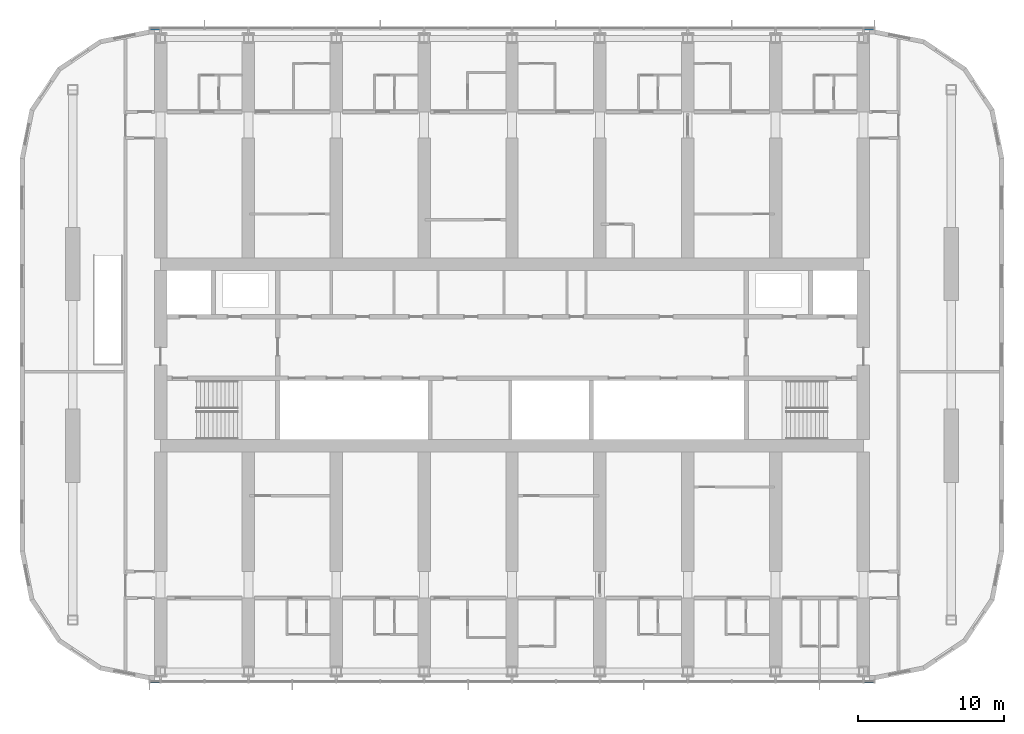
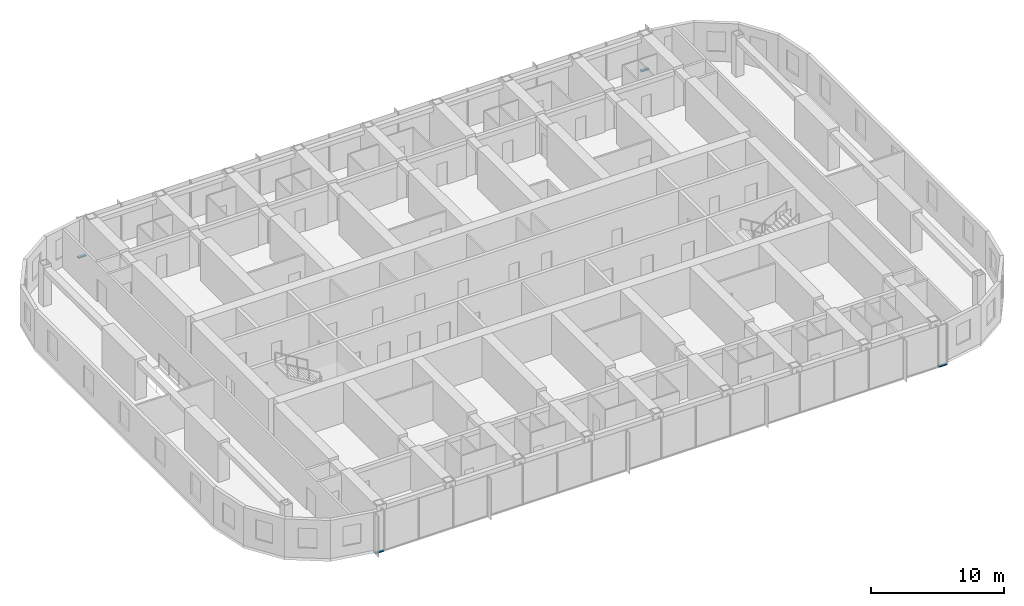
# One storey, part 6 of 22: 4 members, 2 elements without a shape of their own.
"""IFC4 building model written with IfcOpenShell, lengths in metres."""

import ifcopenshell
import ifcopenshell.guid

model = None  # the IFC model being written
_history = None  # IfcOwnerHistory: only IFC2X3 demands one
_inside = {}  # id of a spatial element -> (the spatial element, [elements in it])
_under = {}  # id of a project, library or spatial element -> (it, [spatial elements below it])
_declared = {}  # id of a project -> (the project, [libraries it declares])
_typed = {}  # id of a type object -> (the type object, [elements of that type])
_made_of = {}  # id of a material, layer set ... -> (it, [elements and type objects made of it])


def new_model(schema):
    """Start an empty IFC model of exactly this schema.

    Asked for "IFC4X3", IfcOpenShell would pick the latest addendum, in which some entities
    have other attributes; the version numbers below select the first issue.
    IFC2X3 requires an IfcOwnerHistory on every rooted entity: one is made here for all.
    """
    global model, _history
    if schema == "IFC4X3":
        model = ifcopenshell.file(schema_version=(4, 3, 0, 0))
    else:
        model = ifcopenshell.file(schema=schema)
    _inside.clear()
    _under.clear()
    _declared.clear()
    _typed.clear()
    _made_of.clear()
    _history = None
    if model.schema == "IFC2X3":
        org = make("IfcOrganization", Name="unknown")
        user = make(
            "IfcPersonAndOrganization",
            ThePerson=make("IfcPerson", FamilyName="unknown"),
            TheOrganization=org,
        )
        app = make(
            "IfcApplication",
            ApplicationDeveloper=org,
            Version="unknown",
            ApplicationFullName="unknown",
            ApplicationIdentifier="unknown",
        )
        _history = make(
            "IfcOwnerHistory",
            OwningUser=user,
            OwningApplication=app,
            ChangeAction="ADDED",
            CreationDate=0,
        )
    return model


def make(cls, **values):
    """One entity of the class cls with the attributes given. An attribute that is None is left unset."""
    return model.create_entity(
        cls, **{name: value for name, value in values.items() if value is not None}
    )


def rooted(cls, **values):
    """An entity with a GlobalId (a new one), such as an element, a storey or a relation."""
    return make(cls, GlobalId=ifcopenshell.guid.new(), OwnerHistory=_history, **values)


def si_unit(unit_type, name, prefix=None):
    """IfcSIUnit, for example si_unit("LENGTHUNIT", "METRE", prefix="MILLI")."""
    return make("IfcSIUnit", UnitType=unit_type, Prefix=prefix, Name=name)


def assignment(units):
    """IfcUnitAssignment: the units of a project."""
    return None if units is None else make("IfcUnitAssignment", Units=units)


def point(xyz):
    """IfcCartesianPoint."""
    return None if xyz is None else make("IfcCartesianPoint", Coordinates=xyz)


def direction(xyz):
    """IfcDirection."""
    return None if xyz is None else make("IfcDirection", DirectionRatios=xyz)


def frame(location, z_axis=None, x_axis=None):
    """IfcAxis2Placement3D, a coordinate frame: its origin and axes. An axis left out is left unset."""
    return make(
        "IfcAxis2Placement3D",
        Location=point(location),
        Axis=direction(z_axis),
        RefDirection=direction(x_axis),
    )


def frame_2d(location, x_axis=None):
    """IfcAxis2Placement2D, a coordinate frame in the plane: its origin and x axis."""
    return make(
        "IfcAxis2Placement2D", Location=point(location), RefDirection=direction(x_axis)
    )


def origin():
    """The frame at (0, 0, 0) with its axes left unset."""
    return frame((0.0, 0.0, 0.0))


def origin_2d():
    """The frame at (0, 0) in the plane with its x axis left unset."""
    return frame_2d((0.0, 0.0))


def place(relative_to, where):
    """IfcLocalPlacement: puts the frame where relative to a parent placement (None: the world)."""
    return make(
        "IfcLocalPlacement", PlacementRelTo=relative_to, RelativePlacement=where
    )


def context(
    kind, dimensions, precision=None, world=None, true_north=None, identifier=None
):
    """IfcGeometricRepresentationContext, for example the 3D "Model" context."""
    return make(
        "IfcGeometricRepresentationContext",
        ContextIdentifier=identifier,
        ContextType=kind,
        CoordinateSpaceDimension=dimensions,
        Precision=precision,
        WorldCoordinateSystem=world,
        TrueNorth=true_north,
    )


def subcontext(parent, identifier, kind, view, scale=None):
    """IfcGeometricRepresentationSubContext, for example "Body" below "Model"."""
    return make(
        "IfcGeometricRepresentationSubContext",
        ContextIdentifier=identifier,
        ContextType=kind,
        ParentContext=parent,
        TargetScale=scale,
        TargetView=view,
    )


def project(units=None, contexts=None):
    """IfcProject with its units and contexts."""
    return rooted(
        "IfcProject",
        Name="project",
        RepresentationContexts=contexts,
        UnitsInContext=assignment(units),
    )


def spatial(cls, under=None, at=None, **own):
    """A site, building, storey or space (cls), placed at a placement, below another one or the project."""
    s = rooted(cls, ObjectPlacement=at, **own)
    if under is not None:
        _under.setdefault(under.id(), (under, []))[1].append(s)
    return s


def profile(cls, at=None, kind="AREA", **sizes):
    """A parametric profile (cls). Its sizes go by their IFC names, for example OverallWidth=200.0."""
    return make(cls, ProfileType=kind, Position=at, **sizes)


def rectangle(**sizes):
    """IfcRectangleProfileDef."""
    return profile("IfcRectangleProfileDef", **sizes)


def extrude(swept, where, along, depth):
    """IfcExtrudedAreaSolid: the profile swept, set in the frame where, extruded along a direction by depth."""
    return make(
        "IfcExtrudedAreaSolid",
        SweptArea=swept,
        Position=where,
        ExtrudedDirection=direction(along),
        Depth=depth,
    )


def shape(context_of_items, identifier, shape_type, items):
    """IfcShapeRepresentation: the items that make up one representation, for example the "Body"."""
    return make(
        "IfcShapeRepresentation",
        ContextOfItems=context_of_items,
        RepresentationIdentifier=identifier,
        RepresentationType=shape_type,
        Items=items,
    )


def material(Name=None, Category=None):
    """IfcMaterial."""
    return make("IfcMaterial", Name=Name, Category=Category)


def material_profile(
    of_material, cross_section, Name=None, Category=None, Priority=None
):
    """IfcMaterialProfile: a cross section and its material."""
    return make(
        "IfcMaterialProfile",
        Name=Name,
        Material=of_material,
        Profile=cross_section,
        Priority=Priority,
        Category=Category,
    )


def profile_set(profiles, Name=None, composite=None):
    """IfcMaterialProfileSet."""
    return make(
        "IfcMaterialProfileSet",
        Name=Name,
        MaterialProfiles=profiles,
        CompositeProfile=composite,
    )


def made_of(thing, what):
    """Note that an element or type object is made of a material, layer set ...; save() writes the relation."""
    if what is not None:
        _made_of.setdefault(what.id(), (what, []))[1].append(thing)
    return thing


def type_object(cls, material=None, **own):
    """A type object (cls), such as IfcWallType, which elements share."""
    return made_of(rooted(cls, **own), material)


def element(
    cls,
    number,
    at=None,
    inside=None,
    cuts=None,
    type_object=None,
    material=None,
    context=None,
    identifier="Body",
    shape_type=None,
    held_by="IfcProductDefinitionShape",
    body=None,
    shapes=None,
    **own,
):
    """One element of the class cls, such as IfcWall. Its Tag is "e" and its number.

    at: its placement. inside: the storey or other place that contains it. cuts: it is an
    opening in that element (IfcRelVoidsElement). A single representation is given by context,
    identifier, shape_type and body (its items); several are given by shapes. held_by: the class
    of the entity that holds the representations. save() writes the other relations.
    """
    e = rooted(cls, Tag="e%d" % number, ObjectPlacement=at, **own)
    if body is not None:
        shapes = [shape(context, identifier, shape_type, body)]
    if shapes is not None:
        e.Representation = make(held_by, Representations=shapes)
    if inside is not None:
        _inside.setdefault(inside.id(), (inside, []))[1].append(e)
    if cuts is not None:
        rooted(
            "IfcRelVoidsElement", RelatingBuildingElement=cuts, RelatedOpeningElement=e
        )
    if type_object is not None:
        _typed.setdefault(type_object.id(), (type_object, []))[1].append(e)
    return made_of(e, material)


def aggregate(whole, parts):
    """IfcRelAggregates: a whole, such as a stair, and the parts it consists of."""
    return rooted("IfcRelAggregates", RelatingObject=whole, RelatedObjects=parts)


def save(model, path):
    """Write the relations noted so far, then the file.

    IfcRelAggregates (storeys below a building ...), IfcRelContainedInSpatialStructure (elements
    in a storey), IfcRelDefinesByType, IfcRelAssociatesMaterial and IfcRelDeclares: one each for
    every whole, place, type object, material and project.
    """
    for whole, parts in _under.values():
        aggregate(whole, parts)
    for where, things in _inside.values():
        rooted(
            "IfcRelContainedInSpatialStructure",
            RelatedElements=things,
            RelatingStructure=where,
        )
    for kind, things in _typed.values():
        rooted("IfcRelDefinesByType", RelatedObjects=things, RelatingType=kind)
    for what, things in _made_of.values():
        rooted("IfcRelAssociatesMaterial", RelatedObjects=things, RelatingMaterial=what)
    for by, libraries in _declared.values():
        rooted("IfcRelDeclares", RelatingContext=by, RelatedDefinitions=libraries)
    model.write(path)


model = new_model("IFC4")

# Units and contexts
model_context = context("Model", 3, precision=1e-05, world=origin(), true_north=direction((0.0, 1.0)))
body_context = subcontext(model_context, "Body", "Model", "MODEL_VIEW")
ifc_project = project(units=[si_unit("LENGTHUNIT", "METRE"), si_unit("AREAUNIT", "SQUARE_METRE"), si_unit("VOLUMEUNIT", "CUBIC_METRE"), si_unit("PLANEANGLEUNIT", "RADIAN"), si_unit("MASSUNIT", "GRAM", prefix="KILO")], contexts=[model_context])

# Site, building, storey
site_placement = place(None, origin())
site = spatial("IfcSite", under=ifc_project, at=site_placement, CompositionType="ELEMENT")
building_placement = place(site_placement, origin())
building = spatial("IfcBuilding", under=site, at=building_placement, Name="Orbita Commons", CompositionType="ELEMENT")
storey_placement = place(building_placement, frame((0.0, 0.0, 182.35009765625)))
storey = spatial("IfcBuildingStorey", under=building, at=storey_placement, Name="L45", CompositionType="ELEMENT", Elevation=182.35009765625)

# Curtain wall, members
ifc_material_1 = material(Name="Anodised aluminium frame, pale silver", Category="aluminium")
curtain_wall_type = type_object("IfcCurtainWallType", Name="Unitised curtain wall CW-U, full-height vision", PredefinedType="NOTDEFINED", material=ifc_material_1)
curtain_wall_1_placement = place(storey_placement, origin())
curtain_wall_1 = element("IfcCurtainWall", 1, at=curtain_wall_1_placement, inside=storey, type_object=curtain_wall_type, Name="Curtain wall south L45", PredefinedType="NOTDEFINED")
ifc_material_2 = material(Name="Anodised aluminium, pale silver", Category="aluminium")
ifc_material_profile = material_profile(ifc_material_2, rectangle(XDim=0.219970703125, YDim=0.10009765625, at=origin_2d()), Name="AL 220x100")
ifc_profile_set = profile_set([ifc_material_profile], Name="Anodised aluminium, pale silver")
member_type = type_object("IfcMemberType", Name="Curtain wall stack transom 220x100", PredefinedType="USERDEFINED", material=ifc_profile_set)
member_1_placement = place(storey_placement, frame((17.280029296875, 9.68994140625, -0.2001953125), z_axis=(1.0, 0.0, 0.0), x_axis=(0.0, 1.0, 0.0)))
member_1 = element("IfcMember", 2, at=member_1_placement, type_object=member_type, Name="Transom 1.1 CW-L45-S", ObjectType="TRANSOM", PredefinedType="USERDEFINED", context=body_context, shape_type="SweptSolid", body=[
    extrude(rectangle(XDim=0.219970703125, YDim=0.10009765625, at=origin_2d()), origin(), (0.0, 0.0, 1.0), 0.679931640625),
])
member_2_placement = place(storey_placement, frame((66.0400390625, 9.68994140625, -0.2001953125), z_axis=(1.0, 0.0, 0.0), x_axis=(0.0, 1.0, 0.0)))
member_2 = element("IfcMember", 3, at=member_2_placement, type_object=member_type, Name="Transom 18.1 CW-L45-S", ObjectType="TRANSOM", PredefinedType="USERDEFINED", context=body_context, shape_type="SweptSolid", body=[
    extrude(rectangle(XDim=0.219970703125, YDim=0.10009765625, at=origin_2d()), origin(), (0.0, 0.0, 1.0), 0.679931640625),
])
aggregate(curtain_wall_1, [member_1, member_2])

curtain_wall_2_placement = place(storey_placement, origin())
curtain_wall_2 = element("IfcCurtainWall", 4, at=curtain_wall_2_placement, inside=storey, type_object=curtain_wall_type, Name="Curtain wall north L45", PredefinedType="NOTDEFINED")
member_3_placement = place(storey_placement, frame((66.719970703125, 54.31005859375, -0.2001953125), z_axis=(-1.0, 0.0, 0.0), x_axis=(0.0, -1.0, 0.0)))
member_3 = element("IfcMember", 5, at=member_3_placement, type_object=member_type, Name="Transom 1.1 CW-L45-N", ObjectType="TRANSOM", PredefinedType="USERDEFINED", context=body_context, shape_type="SweptSolid", body=[
    extrude(rectangle(XDim=0.219970703125, YDim=0.10009765625, at=origin_2d()), origin(), (0.0, 0.0, 1.0), 0.679931640625),
])
member_4_placement = place(storey_placement, frame((17.9599609375, 54.31005859375, -0.2001953125), z_axis=(-1.0, 0.0, 0.0), x_axis=(0.0, -1.0, 0.0)))
member_4 = element("IfcMember", 6, at=member_4_placement, type_object=member_type, Name="Transom 18.1 CW-L45-N", ObjectType="TRANSOM", PredefinedType="USERDEFINED", context=body_context, shape_type="SweptSolid", body=[
    extrude(rectangle(XDim=0.219970703125, YDim=0.10009765625, at=origin_2d()), origin(), (0.0, 0.0, 1.0), 0.679931640625),
])
aggregate(curtain_wall_2, [member_3, member_4])

save(model, "model.ifc")
